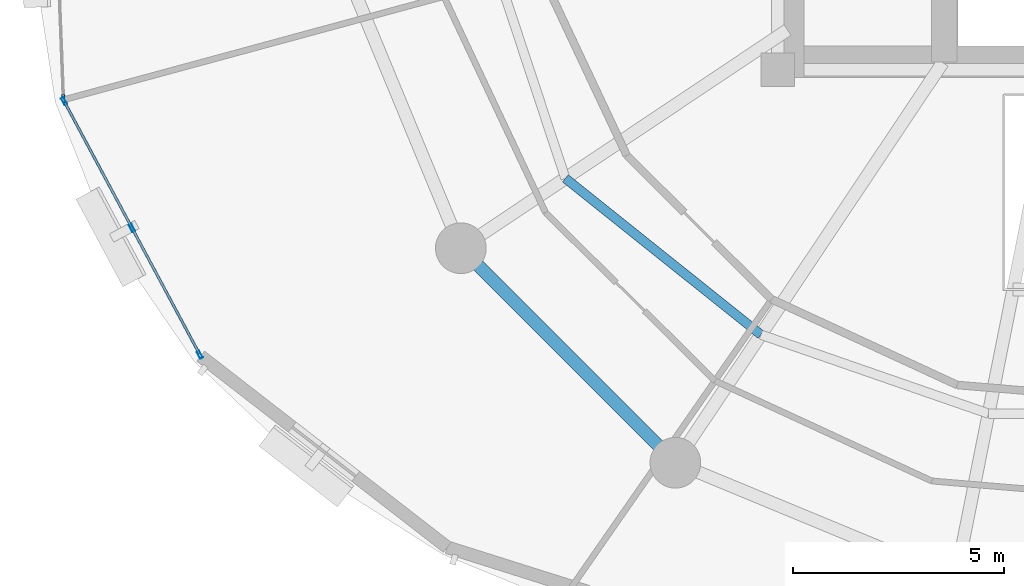
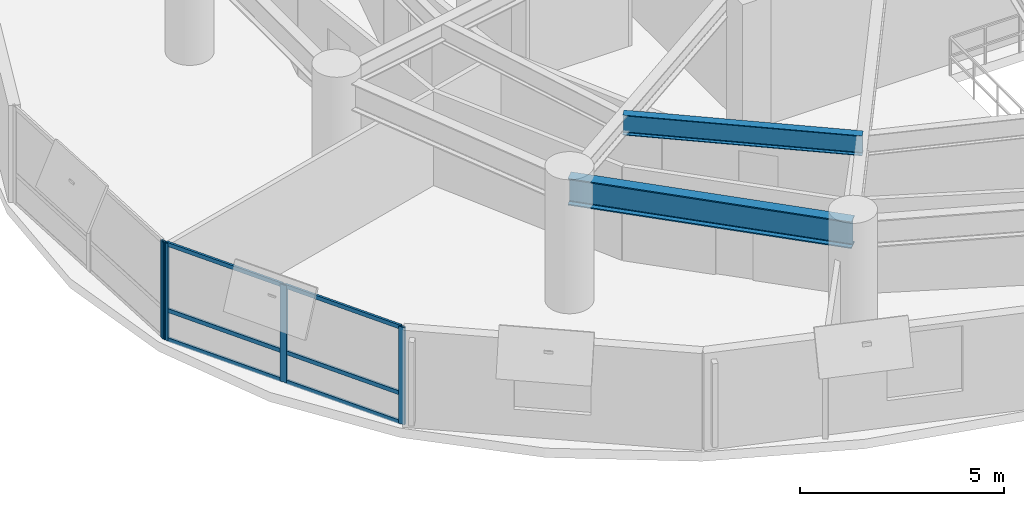
# One storey, part 2 of 15: 10 members, 2 beams, 2 elements without a shape of their own.
"""IFC4 building model written with IfcOpenShell, lengths in metres."""

from ifc_helpers import new_model, si_unit, direction, frame, origin, origin_2d, place, context, subcontext, project, spatial, hollow_rectangle, i_section, extrude, material, layer, layer_set, material_profile, profile_set, type_object, element, aggregate, save


model = new_model("IFC4")

# Units and contexts
model_context = context("Model", 3, precision=1e-05, world=origin(), true_north=direction((0.0, 1.0)))
body_context = subcontext(model_context, "Body", "Model", "MODEL_VIEW")
ifc_project = project(units=[si_unit("LENGTHUNIT", "METRE"), si_unit("AREAUNIT", "SQUARE_METRE"), si_unit("VOLUMEUNIT", "CUBIC_METRE"), si_unit("PLANEANGLEUNIT", "RADIAN"), si_unit("MASSUNIT", "GRAM", prefix="KILO"), si_unit("THERMODYNAMICTEMPERATUREUNIT", "KELVIN"), si_unit("POWERUNIT", "WATT")], contexts=[model_context])

# Site, building, storey
site_placement = place(None, origin())
site = spatial("IfcSite", under=ifc_project, at=site_placement, CompositionType="ELEMENT")
building_placement = place(site_placement, origin())
building = spatial("IfcBuilding", under=site, at=building_placement, Name="Ocrelia Relay Tower", CompositionType="ELEMENT")
storey_placement = place(building_placement, frame((0.0, 0.0, 97.800048828125)))
storey = spatial("IfcBuildingStorey", under=building, at=storey_placement, Name="L22", CompositionType="ELEMENT", Elevation=97.800048828125)

# Beams
ifc_material_1 = material(Name="Steel S355", Category="steel")
ifc_material_profile_1 = material_profile(ifc_material_1, i_section(OverallWidth=0.300048828125, OverallDepth=0.800048828125, WebThickness=0.017578125, FlangeThickness=0.032958984375, FilletRadius=0.030029296875, at=origin_2d()), Name="HEB 800")
ifc_profile_set_1 = profile_set([ifc_material_profile_1], Name="Steel S355")
beam_type_1 = type_object("IfcBeamType", Name="BM-HEB800", PredefinedType="BEAM", material=ifc_profile_set_1)
beam_1_placement = place(storey_placement, frame((18.700927734375, 15.777587890625, 3.320068359375), z_axis=(0.707106781187, -0.707106781187, 0.0), x_axis=(0.707106781187, 0.707106781187, 0.0)))
element("IfcBeam", 1, at=beam_1_placement, inside=storey, type_object=beam_type_1, Name="L22 Perimeter Spandrel Beam S10", PredefinedType="BEAM", context=body_context, shape_type="SweptSolid", body=[
    extrude(i_section(OverallWidth=0.300048828125, OverallDepth=0.800048828125, WebThickness=0.017578125, FlangeThickness=0.032958984375, FilletRadius=0.030029296875, at=origin_2d()), origin(), (0.0, 0.0, 1.0), 7.179443359375),
])
ifc_material_profile_2 = material_profile(ifc_material_1, i_section(OverallWidth=0.219970703125, OverallDepth=0.60009765625, WebThickness=0.011962890625, FlangeThickness=0.01904296875, FilletRadius=0.02392578125, at=origin_2d()), Name="IPE 600")
ifc_profile_set_2 = profile_set([ifc_material_profile_2], Name="Steel S355")
beam_type_2 = type_object("IfcBeamType", Name="BM-IPE600", PredefinedType="JOIST", material=ifc_profile_set_2)
beam_2_placement = place(storey_placement, frame((21.17431640625, 17.43017578125, 3.419921875), z_axis=(0.781130070991, -0.62436833055, 0.0), x_axis=(0.62436833055, 0.781130070991, 0.0)))
element("IfcBeam", 2, at=beam_2_placement, inside=storey, type_object=beam_type_2, Name="L22 Secondary Floor Joist J10", PredefinedType="JOIST", context=body_context, shape_type="SweptSolid", body=[
    extrude(i_section(OverallWidth=0.219970703125, OverallDepth=0.60009765625, WebThickness=0.011962890625, FlangeThickness=0.01904296875, FilletRadius=0.02392578125, at=origin_2d()), origin(), (0.0, 0.0, 1.0), 5.92431640625),
])

# Curtain wall, member
ifc_material_2 = material(Name="Aluminium and solar-control low-E glass", Category="aluminium")
ifc_layer = layer(ifc_material_2, 0.179931640625, Name="Aluminium and solar-control low-E glass")
ifc_layer_set = layer_set([ifc_layer], Name="Aluminium and solar-control low-E glass")
curtain_wall_type = type_object("IfcCurtainWallType", Name="CW-SYS-Z2-SWIT", PredefinedType="NOTDEFINED", material=ifc_layer_set)
curtain_wall_1_placement = place(storey_placement, origin())
curtain_wall_1 = element("IfcCurtainWall", 3, at=curtain_wall_1_placement, inside=storey, type_object=curtain_wall_type, Name="L22 Elliptical Tower Curtain Wall Bay 09", PredefinedType="NOTDEFINED")
ifc_material_3 = material(Name="Anodised bronze aluminium", Category="aluminium")
ifc_material_profile_3 = material_profile(ifc_material_3, hollow_rectangle(XDim=0.070068359375, YDim=0.179931640625, WallThickness=0.006103515625, at=origin_2d()), Name="CW-MUL-180x70")
ifc_profile_set_3 = profile_set([ifc_material_profile_3], Name="Anodised bronze aluminium")
member_type_1 = type_object("IfcMemberType", Name="CW-SYS-Z2-SWIT-MUL", PredefinedType="MULLION", material=ifc_profile_set_3)
member_1_placement = place(storey_placement, frame((9.294189453125, 19.322998046875, 0.0), z_axis=(0.0, 0.0, 1.0), x_axis=(0.999241940463, 0.038929993842, 0.0)))
member_1 = element("IfcMember", 4, at=member_1_placement, type_object=member_type_1, Name="CW-Z2 mullion 3", PredefinedType="MULLION", context=body_context, shape_type="SweptSolid", body=[
    extrude(hollow_rectangle(XDim=0.070068359375, YDim=0.179931640625, WallThickness=0.006103515625, at=origin_2d()), origin(), (0.0, 0.0, 1.0), 2.89990234375),
])
aggregate(curtain_wall_1, [member_1])

# Curtain wall, members
curtain_wall_2_placement = place(storey_placement, origin())
curtain_wall_2 = element("IfcCurtainWall", 5, at=curtain_wall_2_placement, inside=storey, type_object=curtain_wall_type, Name="L22 Elliptical Tower Curtain Wall Bay 10", PredefinedType="NOTDEFINED")
member_2_placement = place(storey_placement, frame((9.31201171875, 19.257080078125, 0.0), z_axis=(0.0, 0.0, 1.0), x_axis=(0.881560565607, 0.472070936584, 0.0)))
member_2 = element("IfcMember", 6, at=member_2_placement, type_object=member_type_1, Name="CW-Z2 mullion 1", PredefinedType="MULLION", context=body_context, shape_type="SweptSolid", body=[
    extrude(hollow_rectangle(XDim=0.070068359375, YDim=0.179931640625, WallThickness=0.006103515625, at=origin_2d()), origin(), (0.0, 0.0, 1.0), 2.89990234375),
])
member_3_placement = place(storey_placement, frame((10.919189453125, 16.255859375, 0.0), z_axis=(0.0, 0.0, 1.0), x_axis=(0.881560565607, 0.472070936584, 0.0)))
member_3 = element("IfcMember", 7, at=member_3_placement, type_object=member_type_1, Name="CW-Z2 mullion 2", PredefinedType="MULLION", context=body_context, shape_type="SweptSolid", body=[
    extrude(hollow_rectangle(XDim=0.070068359375, YDim=0.179931640625, WallThickness=0.006103515625, at=origin_2d()), origin(), (0.0, 0.0, 1.0), 2.89990234375),
])
member_4_placement = place(storey_placement, frame((12.5263671875, 13.254638671875, 0.0), z_axis=(0.0, 0.0, 1.0), x_axis=(0.881560565607, 0.472070936584, 0.0)))
member_4 = element("IfcMember", 8, at=member_4_placement, type_object=member_type_1, Name="CW-Z2 mullion 3", PredefinedType="MULLION", context=body_context, shape_type="SweptSolid", body=[
    extrude(hollow_rectangle(XDim=0.070068359375, YDim=0.179931640625, WallThickness=0.006103515625, at=origin_2d()), origin(), (0.0, 0.0, 1.0), 2.89990234375),
])
ifc_material_profile_4 = material_profile(ifc_material_3, hollow_rectangle(XDim=0.06005859375, YDim=0.1201171875, WallThickness=0.0048828125, at=origin_2d()), Name="CW-TRN-120x60")
ifc_profile_set_4 = profile_set([ifc_material_profile_4], Name="Anodised bronze aluminium")
member_type_2 = type_object("IfcMemberType", Name="CW-SYS-Z2-SWIT-TRN", PredefinedType="USERDEFINED", material=ifc_profile_set_4)
member_5_placement = place(storey_placement, frame((9.32861328125, 19.226318359375, 0.030029296875), z_axis=(0.472077157073, -0.88155723454, 0.0), x_axis=(0.88155723454, 0.472077157073, 0.0)))
member_5 = element("IfcMember", 9, at=member_5_placement, type_object=member_type_2, Name="CW-Z2 transom 1.1", ObjectType="TRANSOM", PredefinedType="USERDEFINED", context=body_context, shape_type="SweptSolid", body=[
    extrude(hollow_rectangle(XDim=0.06005859375, YDim=0.1201171875, WallThickness=0.0048828125, at=origin_2d()), origin(), (0.0, 0.0, 1.0), 3.334716796875),
])
member_6_placement = place(storey_placement, frame((9.32861328125, 19.226318359375, 0.89990234375), z_axis=(0.472077157073, -0.88155723454, 0.0), x_axis=(0.88155723454, 0.472077157073, 0.0)))
member_6 = element("IfcMember", 10, at=member_6_placement, type_object=member_type_2, Name="CW-Z2 transom 1.2", ObjectType="TRANSOM", PredefinedType="USERDEFINED", context=body_context, shape_type="SweptSolid", body=[
    extrude(hollow_rectangle(XDim=0.06005859375, YDim=0.1201171875, WallThickness=0.0048828125, at=origin_2d()), origin(), (0.0, 0.0, 1.0), 3.334716796875),
])
member_7_placement = place(storey_placement, frame((9.32861328125, 19.226318359375, 2.869873046875), z_axis=(0.472077157073, -0.88155723454, 0.0), x_axis=(0.88155723454, 0.472077157073, 0.0)))
member_7 = element("IfcMember", 11, at=member_7_placement, type_object=member_type_2, Name="CW-Z2 transom 1.3", ObjectType="TRANSOM", PredefinedType="USERDEFINED", context=body_context, shape_type="SweptSolid", body=[
    extrude(hollow_rectangle(XDim=0.06005859375, YDim=0.1201171875, WallThickness=0.0048828125, at=origin_2d()), origin(), (0.0, 0.0, 1.0), 3.334716796875),
])
member_8_placement = place(storey_placement, frame((10.935791015625, 16.22509765625, 0.030029296875), z_axis=(0.472077157073, -0.88155723454, 0.0), x_axis=(0.88155723454, 0.472077157073, 0.0)))
member_8 = element("IfcMember", 12, at=member_8_placement, type_object=member_type_2, Name="CW-Z2 transom 2.1", ObjectType="TRANSOM", PredefinedType="USERDEFINED", context=body_context, shape_type="SweptSolid", body=[
    extrude(hollow_rectangle(XDim=0.06005859375, YDim=0.1201171875, WallThickness=0.0048828125, at=origin_2d()), origin(), (0.0, 0.0, 1.0), 3.334716796875),
])
member_9_placement = place(storey_placement, frame((10.935791015625, 16.22509765625, 0.89990234375), z_axis=(0.472077157073, -0.88155723454, 0.0), x_axis=(0.88155723454, 0.472077157073, 0.0)))
member_9 = element("IfcMember", 13, at=member_9_placement, type_object=member_type_2, Name="CW-Z2 transom 2.2", ObjectType="TRANSOM", PredefinedType="USERDEFINED", context=body_context, shape_type="SweptSolid", body=[
    extrude(hollow_rectangle(XDim=0.06005859375, YDim=0.1201171875, WallThickness=0.0048828125, at=origin_2d()), origin(), (0.0, 0.0, 1.0), 3.334716796875),
])
member_10_placement = place(storey_placement, frame((10.935791015625, 16.22509765625, 2.869873046875), z_axis=(0.472077157073, -0.88155723454, 0.0), x_axis=(0.88155723454, 0.472077157073, 0.0)))
member_10 = element("IfcMember", 14, at=member_10_placement, type_object=member_type_2, Name="CW-Z2 transom 2.3", ObjectType="TRANSOM", PredefinedType="USERDEFINED", context=body_context, shape_type="SweptSolid", body=[
    extrude(hollow_rectangle(XDim=0.06005859375, YDim=0.1201171875, WallThickness=0.0048828125, at=origin_2d()), origin(), (0.0, 0.0, 1.0), 3.334716796875),
])
aggregate(curtain_wall_2, [member_2, member_3, member_4, member_5, member_6, member_7, member_8, member_9, member_10])

save(model, "model.ifc")
